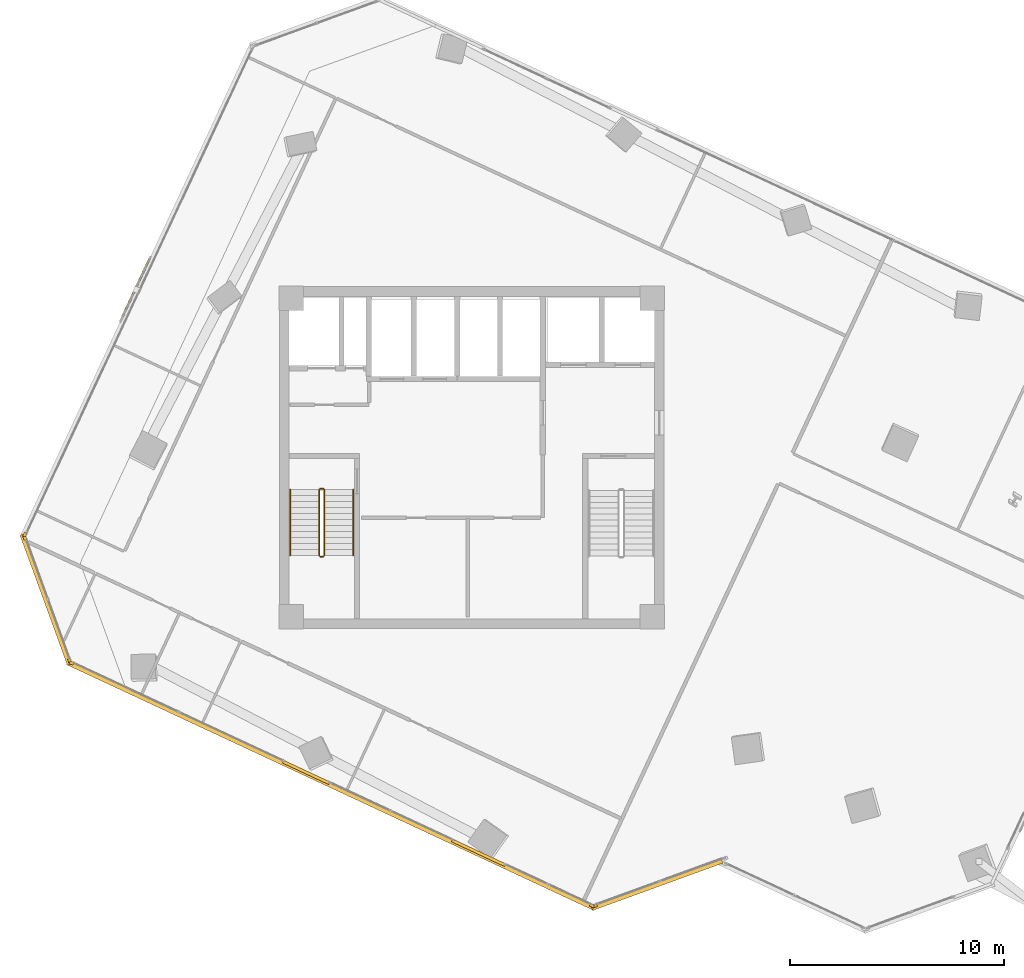
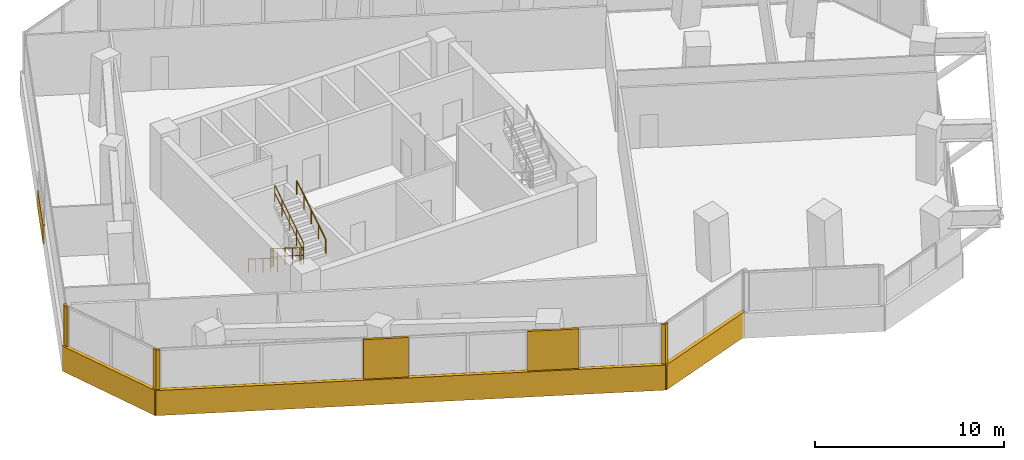
# One storey, part 18 of 21: 11 coverings, 6 railings, 1 shading device.
"""IFC4 building model written with IfcOpenShell, lengths in metres."""

from ifc_helpers import new_model, si_unit, direction, frame, origin, origin_2d, place, context, subcontext, project, spatial, rectangle, circle, extrude, source, transform, mapped, material, layer, layer_set, type_object, element, save


model = new_model("IFC4")

# Units and contexts
model_context = context("Model", 3, precision=1e-05, world=origin(), true_north=direction((0.0, 1.0)))
body_context = subcontext(model_context, "Body", "Model", "MODEL_VIEW")
ifc_project = project(units=[si_unit("LENGTHUNIT", "METRE"), si_unit("AREAUNIT", "SQUARE_METRE"), si_unit("VOLUMEUNIT", "CUBIC_METRE"), si_unit("PLANEANGLEUNIT", "RADIAN"), si_unit("MASSUNIT", "GRAM", prefix="KILO")], contexts=[model_context])

# Site, building, storey
site_placement = place(None, origin())
site = spatial("IfcSite", under=ifc_project, at=site_placement, CompositionType="ELEMENT")
building_placement = place(site_placement, origin())
building = spatial("IfcBuilding", under=site, at=building_placement, Name="Torre Montelarca", CompositionType="ELEMENT")
storey_placement = place(building_placement, frame((0.0, 0.0, 162.39990234375)))
storey = spatial("IfcBuildingStorey", under=building, at=storey_placement, Name="L36", CompositionType="ELEMENT", Elevation=162.39990234375)

# Railings
ifc_material_1 = material(Name="Powder-coated steel ASTM A500 Grade C", Category="steel")
railing_type_1 = type_object("IfcRailingType", Name="RL-GUARD-1100", PredefinedType="BALUSTRADE", material=ifc_material_1)
railing_1_placement = place(storey_placement, frame((10.85009765625, 30.5, 0.175048828125)))
element("IfcRailing", 1, at=railing_1_placement, inside=storey, type_object=railing_type_1, Name="L36 ST1 stair guard 1", PredefinedType="BALUSTRADE", context=body_context, shape_type="SweptSolid", body=[
    extrude(circle(Radius=0.02392578125, at=origin_2d()), frame((0.0, 0.0, 1.076171875), z_axis=(0.0, -0.847998304005, 0.529998940003), x_axis=(1.0, 0.0, 0.0)), (0.0, 0.0, 1.0), 3.632080078125),
    extrude(circle(Radius=0.02099609375, at=origin_2d()), frame((0.0, 0.0, 0.572021484375), z_axis=(0.0, -0.847998304005, 0.529998940003), x_axis=(1.0, 0.0, 0.0)), (0.0, 0.0, 1.0), 3.632080078125),
    extrude(circle(Radius=0.02099609375, at=origin_2d()), origin(), (0.0, 0.0, 1.0), 1.052001953125),
    extrude(circle(Radius=0.02099609375, at=origin_2d()), frame((0.0, -0.77001953125, 0.481201171875)), (0.0, 0.0, 1.0), 1.052001953125),
    extrude(circle(Radius=0.02099609375, at=origin_2d()), frame((0.0, -1.5400390625, 0.96240234375)), (0.0, 0.0, 1.0), 1.052001953125),
    extrude(circle(Radius=0.02099609375, at=origin_2d()), frame((0.0, -2.31005859375, 1.44384765625)), (0.0, 0.0, 1.0), 1.052001953125),
    extrude(circle(Radius=0.02099609375, at=origin_2d()), frame((0.0, -3.080078125, 1.925048828125)), (0.0, 0.0, 1.0), 1.052001953125),
])
railing_2_placement = place(storey_placement, frame((10.89990234375, 27.3701171875, 2.10009765625)))
element("IfcRailing", 2, at=railing_2_placement, inside=storey, type_object=railing_type_1, Name="L36 ST1 stair guard 2", PredefinedType="BALUSTRADE", context=body_context, shape_type="SweptSolid", body=[
    extrude(circle(Radius=0.02392578125, at=origin_2d()), frame((0.0, 0.0, 1.076171875), z_axis=(1.0, 0.0, 0.0), x_axis=(0.0, 1.0, 0.0)), (0.0, 0.0, 1.0), 0.150146484375),
    extrude(circle(Radius=0.02099609375, at=origin_2d()), frame((0.0, 0.0, 0.572021484375), z_axis=(1.0, 0.0, 0.0), x_axis=(0.0, 1.0, 0.0)), (0.0, 0.0, 1.0), 0.150146484375),
    extrude(circle(Radius=0.02099609375, at=origin_2d()), origin(), (0.0, 0.0, 1.0), 1.052001953125),
    extrude(circle(Radius=0.02099609375, at=origin_2d()), frame((0.150146484375, 0.0, 0.0)), (0.0, 0.0, 1.0), 1.052001953125),
])
railing_3_placement = place(storey_placement, frame((11.10009765625, 27.419921875, 2.275146484375)))
element("IfcRailing", 3, at=railing_3_placement, inside=storey, type_object=railing_type_1, Name="L36 ST1 stair guard 3", PredefinedType="BALUSTRADE", context=body_context, shape_type="SweptSolid", body=[
    extrude(circle(Radius=0.02392578125, at=origin_2d()), frame((0.0, 0.0, 1.076171875), z_axis=(0.0, 0.847998304005, 0.529998940003), x_axis=(-1.0, 0.0, 0.0)), (0.0, 0.0, 1.0), 3.632080078125),
    extrude(circle(Radius=0.02099609375, at=origin_2d()), frame((0.0, 0.0, 0.572021484375), z_axis=(0.0, 0.847998304005, 0.529998940003), x_axis=(-1.0, 0.0, 0.0)), (0.0, 0.0, 1.0), 3.632080078125),
    extrude(circle(Radius=0.02099609375, at=origin_2d()), origin(), (0.0, 0.0, 1.0), 1.052001953125),
    extrude(circle(Radius=0.02099609375, at=origin_2d()), frame((0.0, 0.77001953125, 0.481201171875)), (0.0, 0.0, 1.0), 1.052001953125),
    extrude(circle(Radius=0.02099609375, at=origin_2d()), frame((0.0, 1.5400390625, 0.96240234375)), (0.0, 0.0, 1.0), 1.052001953125),
    extrude(circle(Radius=0.02099609375, at=origin_2d()), frame((0.0, 2.31005859375, 1.44384765625)), (0.0, 0.0, 1.0), 1.052001953125),
    extrude(circle(Radius=0.02099609375, at=origin_2d()), frame((0.0, 3.080078125, 1.925048828125)), (0.0, 0.0, 1.0), 1.052001953125),
])
railing_4_placement = place(storey_placement, frame((10.89990234375, 30.550048828125, 0.0)))
element("IfcRailing", 4, at=railing_4_placement, inside=storey, type_object=railing_type_1, Name="L36 ST1 stair guard 4", PredefinedType="BALUSTRADE", context=body_context, shape_type="SweptSolid", body=[
    extrude(circle(Radius=0.02392578125, at=origin_2d()), frame((0.0, 0.0, 1.076171875), z_axis=(1.0, 0.0, 0.0), x_axis=(0.0, 1.0, 0.0)), (0.0, 0.0, 1.0), 0.150146484375),
    extrude(circle(Radius=0.02099609375, at=origin_2d()), frame((0.0, 0.0, 0.572021484375), z_axis=(1.0, 0.0, 0.0), x_axis=(0.0, 1.0, 0.0)), (0.0, 0.0, 1.0), 0.150146484375),
    extrude(circle(Radius=0.02099609375, at=origin_2d()), origin(), (0.0, 0.0, 1.0), 1.052001953125),
    extrude(circle(Radius=0.02099609375, at=origin_2d()), frame((0.150146484375, 0.0, 0.0)), (0.0, 0.0, 1.0), 1.052001953125),
])
ifc_material_2 = material(Name="Brushed stainless steel AISI 316", Category="steel")
railing_type_2 = type_object("IfcRailingType", Name="RL-HANDRAIL-900", PredefinedType="HANDRAIL", material=ifc_material_2)
railing_5_placement = place(storey_placement, frame((9.5, 30.5, 0.175048828125)))
element("IfcRailing", 5, at=railing_5_placement, inside=storey, type_object=railing_type_2, Name="L36 ST1 stair handrail 1", PredefinedType="HANDRAIL", context=body_context, shape_type="SweptSolid", body=[
    extrude(circle(Radius=0.02392578125, at=origin_2d()), frame((0.0, 0.0, 0.8759765625), z_axis=(0.0, -0.847998304005, 0.529998940003), x_axis=(1.0, 0.0, 0.0)), (0.0, 0.0, 1.0), 3.632080078125),
    extrude(circle(Radius=0.02099609375, at=origin_2d()), origin(), (0.0, 0.0, 1.0), 0.851806640625),
    extrude(circle(Radius=0.02099609375, at=origin_2d()), frame((0.0, -0.77001953125, 0.481201171875)), (0.0, 0.0, 1.0), 0.851806640625),
    extrude(circle(Radius=0.02099609375, at=origin_2d()), frame((0.0, -1.5400390625, 0.96240234375)), (0.0, 0.0, 1.0), 0.851806640625),
    extrude(circle(Radius=0.02099609375, at=origin_2d()), frame((0.0, -2.31005859375, 1.44384765625)), (0.0, 0.0, 1.0), 0.851806640625),
    extrude(circle(Radius=0.02099609375, at=origin_2d()), frame((0.0, -3.080078125, 1.925048828125)), (0.0, 0.0, 1.0), 0.851806640625),
])
railing_6_placement = place(storey_placement, frame((12.449951171875, 27.419921875, 2.275146484375)))
element("IfcRailing", 6, at=railing_6_placement, inside=storey, type_object=railing_type_2, Name="L36 ST1 stair handrail 2", PredefinedType="HANDRAIL", context=body_context, shape_type="SweptSolid", body=[
    extrude(circle(Radius=0.02392578125, at=origin_2d()), frame((0.0, 0.0, 0.8759765625), z_axis=(0.0, 0.847998304005, 0.529998940003), x_axis=(-1.0, 0.0, 0.0)), (0.0, 0.0, 1.0), 3.632080078125),
    extrude(circle(Radius=0.02099609375, at=origin_2d()), origin(), (0.0, 0.0, 1.0), 0.851806640625),
    extrude(circle(Radius=0.02099609375, at=origin_2d()), frame((0.0, 0.77001953125, 0.481201171875)), (0.0, 0.0, 1.0), 0.851806640625),
    extrude(circle(Radius=0.02099609375, at=origin_2d()), frame((0.0, 1.5400390625, 0.96240234375)), (0.0, 0.0, 1.0), 0.851806640625),
    extrude(circle(Radius=0.02099609375, at=origin_2d()), frame((0.0, 2.31005859375, 1.44384765625)), (0.0, 0.0, 1.0), 0.851806640625),
    extrude(circle(Radius=0.02099609375, at=origin_2d()), frame((0.0, 3.080078125, 1.925048828125)), (0.0, 0.0, 1.0), 0.851806640625),
])

# Coverings
ifc_material_3 = material(Name="Bush-hammered warm white precast concrete C45/55", Category="concrete")
ifc_layer_1 = layer(ifc_material_3, 0.139892578125, Name="Bush-hammered warm white precast concrete C45/55", Category="concrete")
ifc_layer_set_1 = layer_set([ifc_layer_1], Name="Bush-hammered warm white precast concrete C45/55")
covering_type = type_object("IfcCoveringType", Name="COV-TRAY-CLAD", PredefinedType="CLADDING", material=ifc_layer_set_1)
shared_shape_1 = source(origin(), body_context, "Body", "SweptSolid", [
    extrude(rectangle(XDim=6.48388671875, YDim=0.219970703125, at=origin_2d()), origin(), (0.0, 0.0, 1.0), 1.6201171875),
])
for number, where, z_axis, x_axis, name in (
    (7, (26.6669921875, 12.01513671875, -0.449951171875), (0.0, 0.0, 1.0), (0.939693217722, 0.342018503252, 0.0), "L36 Architectural White Spandrel Tray Band TRYBOT-02"),
    (8, (-1.933837890625, 25.35205078125, -0.449951171875), (0.0, 0.0, 1.0), (0.342018503252, -0.939693217722, 0.0), "L36 Architectural White Spandrel Tray Band TRYBOT-11"),
):
    element("IfcCovering", number, at=place(storey_placement, frame(where, z_axis=z_axis, x_axis=x_axis)), inside=storey, type_object=covering_type, Name=name, PredefinedType="CLADDING", context=body_context, shape_type="MappedRepresentation", body=[
        mapped(shared_shape_1, transform((0.0, 0.0, 0.0), scale=1.0)),
    ])
shared_shape_2 = source(origin(), body_context, "Body", "SweptSolid", [
    extrude(rectangle(XDim=27.219970703125, YDim=0.219970703125, at=origin_2d()), origin(), (0.0, 0.0, 1.0), 1.6201171875),
])
covering_1_placement = place(storey_placement, frame((11.419189453125, 16.65234375, -0.449951171875), z_axis=(0.0, 0.0, 1.0), x_axis=(0.906308524643, -0.422616679935, 0.0)))
element("IfcCovering", 9, at=covering_1_placement, inside=storey, type_object=covering_type, Name="L36 Architectural White Spandrel Tray Band TRYBOT-01", PredefinedType="CLADDING", context=body_context, shape_type="MappedRepresentation", body=[
    mapped(shared_shape_2, transform((0.0, 0.0, 0.0), scale=1.0)),
])

# Shading device
ifc_material_4 = material(Name="Architectural perforated terracotta ceramic", Category="masonry")
ifc_layer_2 = layer(ifc_material_4, 0.080078125, Name="Architectural perforated terracotta ceramic", Category="masonry")
ifc_layer_set_2 = layer_set([ifc_layer_2], Name="Architectural perforated terracotta ceramic")
shading_device_type = type_object("IfcShadingDeviceType", Name="SHD-JALOUSIE-1", PredefinedType="JALOUSIE", material=ifc_layer_set_2)
shared_shape_3 = source(origin(), body_context, "Body", "SweptSolid", [
    extrude(rectangle(XDim=3.199951171875, YDim=0.10009765625, at=origin_2d()), origin(), (0.0, 0.0, 1.0), 1.25),
])
shading_device_placement = place(storey_placement, frame((2.244384765625, 39.875732421875, -0.0048828125), z_axis=(0.0, 0.0, 1.0), x_axis=(-0.422618261741, -0.906307787037, 0.0)))
element("IfcShadingDevice", 10, at=shading_device_placement, inside=storey, type_object=shading_device_type, Name="L36 Facade Solar Shading Device E10", PredefinedType="JALOUSIE", context=body_context, shape_type="MappedRepresentation", body=[
    mapped(shared_shape_3, transform((0.0, 0.0, 0.0), scale=1.0)),
])

# Coverings
shared_shape_4 = source(origin(), body_context, "Body", "SweptSolid", [
    extrude(rectangle(XDim=0.199951171875, YDim=0.139892578125, at=origin_2d()), origin(), (0.0, 0.0, 1.0), 3.719970703125),
])
for number, where, z_axis, x_axis, name in (
    (11, (-0.730712890625, 22.38427734375, 0.0), (0.0, 0.0, 1.0), (0.906308524643, -0.422616679935, 0.0), "L36 Architectural Column Pier Cladding E01-1"),
    (12, (23.6201171875, 11.029296875, 0.0), (0.0, 0.0, 1.0), (0.906308524643, -0.422616679935, 0.0), "L36 Architectural Column Pier Cladding E01-4"),
    (13, (23.76513671875, 11.02294921875, 0.0), (0.0, 0.0, 1.0), (0.939695008514, 0.342013583025, 0.0), "L36 Architectural Column Pier Cladding E02-1"),
    (14, (-2.919921875, 28.398681640625, 0.0), (0.0, 0.0, 1.0), (-0.422618261741, -0.906307787037, 0.0), "L36 Architectural Column Pier Cladding E10-2"),
    (15, (-2.92626953125, 28.253662109375, 0.0), (0.0, 0.0, 1.0), (0.342011942948, -0.939695605439, 0.0), "L36 Architectural Column Pier Cladding E11-1"),
    (16, (-0.828857421875, 22.4912109375, 0.0), (0.0, 0.0, 1.0), (0.342011942948, -0.939695605439, 0.0), "L36 Architectural Column Pier Cladding E11-2"),
):
    element("IfcCovering", number, at=place(storey_placement, frame(where, z_axis=z_axis, x_axis=x_axis)), inside=storey, type_object=covering_type, Name=name, PredefinedType="CLADDING", context=body_context, shape_type="MappedRepresentation", body=[
        mapped(shared_shape_4, transform((0.0, 0.0, 0.0), scale=1.0)),
    ])
shared_shape_5 = source(origin(), body_context, "Body", "SweptSolid", [
    extrude(rectangle(XDim=2.396240234375, YDim=0.139892578125, at=origin_2d()), origin(), (0.0, 0.0, 1.0), 3.719970703125),
])
covering_2_placement = place(storey_placement, frame((10.25048828125, 17.263427734375, 0.0), z_axis=(0.0, 0.0, 1.0), x_axis=(0.906308524643, -0.422616679935, 0.0)))
element("IfcCovering", 17, at=covering_2_placement, inside=storey, type_object=covering_type, Name="L36 Architectural Column Pier Cladding E01-2", PredefinedType="CLADDING", context=body_context, shape_type="MappedRepresentation", body=[
    mapped(shared_shape_5, transform((0.0, 0.0, 0.0), scale=1.0)),
])
shared_shape_6 = source(origin(), body_context, "Body", "SweptSolid", [
    extrude(rectangle(XDim=2.739013671875, YDim=0.139892578125, at=origin_2d()), origin(), (0.0, 0.0, 1.0), 3.719970703125),
])
covering_3_placement = place(storey_placement, frame((18.318115234375, 13.501708984375, 0.0), z_axis=(0.0, 0.0, 1.0), x_axis=(0.906308524643, -0.422616679935, 0.0)))
element("IfcCovering", 18, at=covering_3_placement, inside=storey, type_object=covering_type, Name="L36 Architectural Column Pier Cladding E01-3", PredefinedType="CLADDING", context=body_context, shape_type="MappedRepresentation", body=[
    mapped(shared_shape_6, transform((0.0, 0.0, 0.0), scale=1.0)),
])

save(model, "model.ifc")
